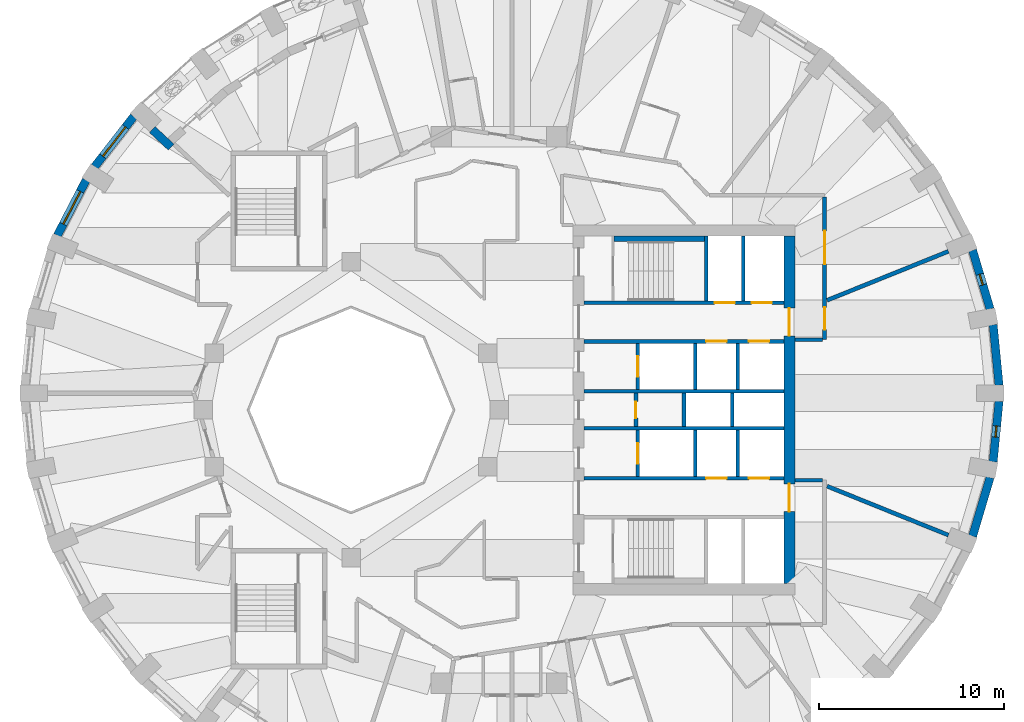
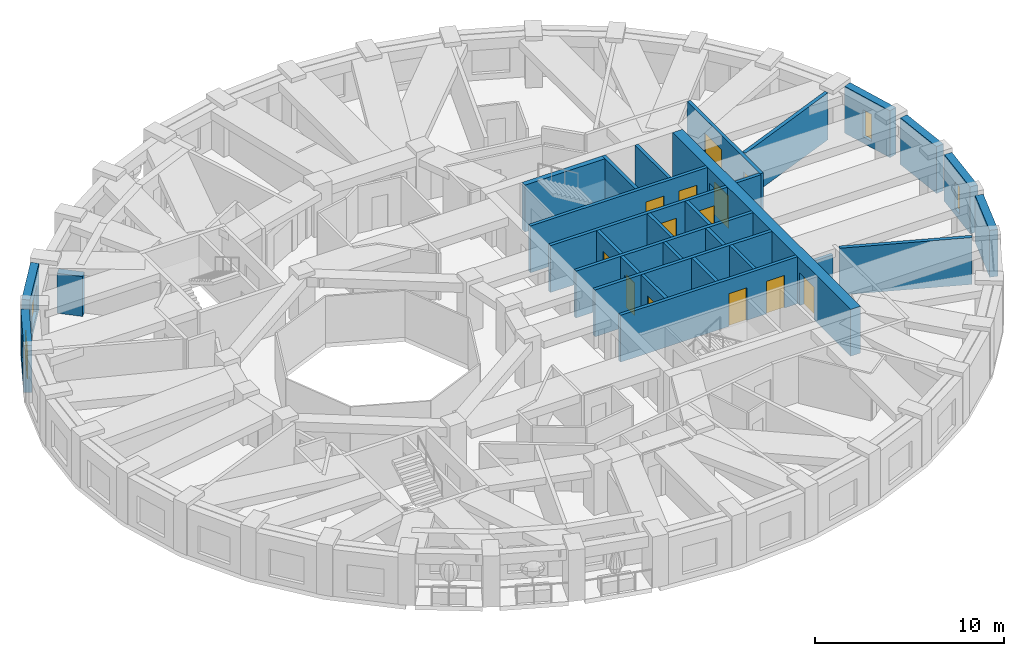
# One storey, part 6 of 12: 30 walls, 13 doors, 4 windows, 17 openings.
"""IFC4 building model written with IfcOpenShell, lengths in metres."""

from ifc_helpers import new_model, si_unit, direction, frame, frame_2d, origin, place, context, subcontext, project, spatial, rectangle, extrude, material, layer, layer_set, type_object, element, fill, save


model = new_model("IFC4")

# Units and contexts
model_context = context("Model", 3, precision=1e-05, world=origin(), true_north=direction((0.0, 1.0)))
body_context = subcontext(model_context, "Body", "Model", "MODEL_VIEW")
ifc_project = project(units=[si_unit("LENGTHUNIT", "METRE"), si_unit("AREAUNIT", "SQUARE_METRE"), si_unit("VOLUMEUNIT", "CUBIC_METRE"), si_unit("PLANEANGLEUNIT", "RADIAN"), si_unit("MASSUNIT", "GRAM", prefix="KILO")], contexts=[model_context])

# Site, building, storey
site_placement = place(None, origin())
site = spatial("IfcSite", under=ifc_project, at=site_placement, CompositionType="ELEMENT")
building_placement = place(site_placement, origin())
building = spatial("IfcBuilding", under=site, at=building_placement, Name="Taillehof Tower", CompositionType="ELEMENT")
storey_placement = place(building_placement, frame((0.0, 0.0, 215.60009765625)))
storey = spatial("IfcBuildingStorey", under=building, at=storey_placement, Name="L61", CompositionType="ELEMENT", Elevation=215.60009765625)

# Wall
ifc_material_1 = material(Name="Brick masonry", Category="masonry")
ifc_layer_1 = layer(ifc_material_1, 0.449951171875)
ifc_layer_set_1 = layer_set([ifc_layer_1], Name="Brick infill wall 450")
wall_type_1 = type_object("IfcWallType", Name="Brick infill wall 450", PredefinedType="SOLIDWALL", material=ifc_layer_set_1)
wall_1_placement = place(storey_placement, frame((27.0322265625, 1.330078125, 0.0), z_axis=(0.0, 0.0, 1.0), x_axis=(-0.096824116835, 0.995301507283, 0.0)))
element("IfcWall", 1, at=wall_1_placement, inside=storey, type_object=wall_type_1, Name="Brick wall L61 bay 1", PredefinedType="SOLIDWALL", context=body_context, shape_type="SweptSolid", body=[
    extrude(rectangle(XDim=3.29296875, YDim=0.449951171875, at=frame_2d((1.646484375, 0.0))), origin(), (0.0, 0.0, 1.0), 3.02001953125),
])

# Wall, opening, window
wall_2_placement = place(storey_placement, frame((26.548095703125, 5.451904296875, 0.0), z_axis=(0.0, 0.0, 1.0), x_axis=(-0.285444972963, 0.958395099847, 0.0)))
wall_2 = element("IfcWall", 2, at=wall_2_placement, inside=storey, type_object=wall_type_1, Name="Brick wall L61 bay 2", PredefinedType="SOLIDWALL", context=body_context, shape_type="SweptSolid", body=[
    extrude(rectangle(XDim=3.3203125, YDim=0.449951171875, at=frame_2d((1.66015625, 0.0))), origin(), (0.0, 0.0, 1.0), 3.02001953125),
])
opening_1_placement = place(wall_2_placement, frame((1.360107421875, 0.0, 0.39990234375)))
opening_1 = element("IfcOpeningElement", 3, at=opening_1_placement, cuts=wall_2, Name="Opening W6", PredefinedType="OPENING", context=body_context, shape_type="SweptSolid", body=[
    extrude(rectangle(XDim=0.60009765625, YDim=1.75, at=frame_2d((0.300048828125, 0.875))), frame((0.0, 0.23486328125, 0.0), z_axis=(0.0, -1.0, 0.0), x_axis=(1.0, 0.0, 0.0)), (0.0, 0.0, 1.0), 0.469970703125),
])
ifc_material_2 = material(Name="Aluminium window frame with clear double glazing", Category="aluminium")
window_type_1 = type_object("IfcWindowType", Name="Slot window 600x1750", PartitioningType="SINGLE_PANEL", PredefinedType="WINDOW", material=ifc_material_2)
window_1_placement = place(opening_1_placement, origin())
window_1 = element("IfcWindow", 4, at=window_1_placement, inside=storey, type_object=window_type_1, Name="W6", OverallHeight=1.75, OverallWidth=0.60009765625, PartitioningType="SINGLE_PANEL", PredefinedType="WINDOW", context=body_context, shape_type="SweptSolid", body=[
    extrude(rectangle(XDim=0.60009765625, YDim=1.75, at=frame_2d((0.300048828125, 0.875))), frame((0.0, 0.034912109375, 0.0), z_axis=(0.0, -1.0, 0.0), x_axis=(1.0, 0.0, 0.0)), (0.0, 0.0, 1.0), 0.06005859375),
])
fill(opening_1, window_1)

wall_3_placement = place(storey_placement, frame((-19.751220703125, 15.861083984375, 0.0), z_axis=(0.0, 0.0, 1.0), x_axis=(-0.614220816451, -0.789134201919, 0.0)))
wall_3 = element("IfcWall", 5, at=wall_3_placement, inside=storey, type_object=wall_type_1, Name="Brick wall L61 bay 15", PredefinedType="SOLIDWALL", context=body_context, shape_type="SweptSolid", body=[
    extrude(rectangle(XDim=3.437744140625, YDim=0.449951171875, at=frame_2d((1.71875, 0.0))), origin(), (0.0, 0.0, 1.0), 3.02001953125),
])
opening_2_placement = place(wall_3_placement, frame((0.71875, 0.0, 0.39990234375)))
opening_2 = element("IfcOpeningElement", 6, at=opening_2_placement, cuts=wall_3, Name="Opening W2", PredefinedType="OPENING", context=body_context, shape_type="SweptSolid", body=[
    extrude(rectangle(XDim=2.0, YDim=1.75, at=frame_2d((1.0, 0.875))), frame((0.0, 0.23486328125, 0.0), z_axis=(0.0, -1.0, 0.0), x_axis=(1.0, 0.0, 0.0)), (0.0, 0.0, 1.0), 0.469970703125),
])
ifc_material_3 = material(Name="Aluminium window frame with clear double glazing", Category="aluminium")
window_type_2 = type_object("IfcWindowType", Name="Deep-set window 2000x1750", PartitioningType="SINGLE_PANEL", PredefinedType="WINDOW", material=ifc_material_3)
window_2_placement = place(opening_2_placement, origin())
window_2 = element("IfcWindow", 7, at=window_2_placement, inside=storey, type_object=window_type_2, Name="W2", OverallHeight=1.75, OverallWidth=2.0, PartitioningType="SINGLE_PANEL", PredefinedType="WINDOW", context=body_context, shape_type="SweptSolid", body=[
    extrude(rectangle(XDim=2.0, YDim=1.75, at=frame_2d((1.0, 0.875))), frame((0.0, 0.034912109375, 0.0), z_axis=(0.0, -1.0, 0.0), x_axis=(1.0, 0.0, 0.0)), (0.0, 0.0, 1.0), 0.06005859375),
])
fill(opening_2, window_2)

wall_4_placement = place(storey_placement, frame((-22.326904296875, 12.424072265625, 0.0), z_axis=(0.0, 0.0, 1.0), x_axis=(-0.460232593174, -0.887798378113, 0.0)))
wall_4 = element("IfcWall", 8, at=wall_4_placement, inside=storey, type_object=wall_type_1, Name="Brick wall L61 bay 16", PredefinedType="SOLIDWALL", context=body_context, shape_type="SweptSolid", body=[
    extrude(rectangle(XDim=3.37060546875, YDim=0.449951171875, at=frame_2d((1.685302734375, 0.0))), origin(), (0.0, 0.0, 1.0), 3.02001953125),
])
opening_3_placement = place(wall_4_placement, frame((0.685302734375, 0.0, 0.39990234375)))
opening_3 = element("IfcOpeningElement", 9, at=opening_3_placement, cuts=wall_4, Name="Opening W2", PredefinedType="OPENING", context=body_context, shape_type="SweptSolid", body=[
    extrude(rectangle(XDim=2.0, YDim=1.75, at=frame_2d((1.0, 0.875))), frame((0.0, 0.23486328125, 0.0), z_axis=(0.0, -1.0, 0.0), x_axis=(1.0, 0.0, 0.0)), (0.0, 0.0, 1.0), 0.469970703125),
])
window_3_placement = place(opening_3_placement, origin())
window_3 = element("IfcWindow", 10, at=window_3_placement, inside=storey, type_object=window_type_2, Name="W2", OverallHeight=1.75, OverallWidth=2.0, PartitioningType="SINGLE_PANEL", PredefinedType="WINDOW", context=body_context, shape_type="SweptSolid", body=[
    extrude(rectangle(XDim=2.0, YDim=1.75, at=frame_2d((1.0, 0.875))), frame((0.0, 0.034912109375, 0.0), z_axis=(0.0, -1.0, 0.0), x_axis=(1.0, 0.0, 0.0)), (0.0, 0.0, 1.0), 0.06005859375),
])
fill(opening_3, window_3)

# Wall
wall_5_placement = place(storey_placement, frame((25.600341796875, -6.833984375, 0.0), z_axis=(0.0, 0.0, 1.0), x_axis=(0.285444972963, 0.958395099847, 0.0)))
element("IfcWall", 11, at=wall_5_placement, inside=storey, type_object=wall_type_1, Name="Brick wall L61 bay 35", PredefinedType="SOLIDWALL", context=body_context, shape_type="SweptSolid", body=[
    extrude(rectangle(XDim=3.3203125, YDim=0.449951171875, at=frame_2d((1.66015625, 0.0))), origin(), (0.0, 0.0, 1.0), 3.02001953125),
])

# Wall, opening, window
wall_6_placement = place(storey_placement, frame((26.71337890625, -2.807861328125, 0.0), z_axis=(0.0, 0.0, 1.0), x_axis=(0.096816972749, 0.995302202242, 0.0)))
wall_6 = element("IfcWall", 12, at=wall_6_placement, inside=storey, type_object=wall_type_1, Name="Brick wall L61 bay 36", PredefinedType="SOLIDWALL", context=body_context, shape_type="SweptSolid", body=[
    extrude(rectangle(XDim=3.293212890625, YDim=0.449951171875, at=frame_2d((1.646484375, 0.0))), origin(), (0.0, 0.0, 1.0), 3.02001953125),
])
opening_4_placement = place(wall_6_placement, frame((1.3466796875, 0.0, 0.39990234375)))
opening_4 = element("IfcOpeningElement", 13, at=opening_4_placement, cuts=wall_6, Name="Opening W6", PredefinedType="OPENING", context=body_context, shape_type="SweptSolid", body=[
    extrude(rectangle(XDim=0.60009765625, YDim=1.75, at=frame_2d((0.300048828125, 0.875))), frame((0.0, 0.23486328125, 0.0), z_axis=(0.0, -1.0, 0.0), x_axis=(1.0, 0.0, 0.0)), (0.0, 0.0, 1.0), 0.469970703125),
])
window_4_placement = place(opening_4_placement, origin())
window_4 = element("IfcWindow", 14, at=window_4_placement, inside=storey, type_object=window_type_1, Name="W6", OverallHeight=1.75, OverallWidth=0.60009765625, PartitioningType="SINGLE_PANEL", PredefinedType="WINDOW", context=body_context, shape_type="SweptSolid", body=[
    extrude(rectangle(XDim=0.60009765625, YDim=1.75, at=frame_2d((0.300048828125, 0.875))), frame((0.0, 0.034912109375, 0.0), z_axis=(0.0, -1.0, 0.0), x_axis=(1.0, 0.0, 0.0)), (0.0, 0.0, 1.0), 0.06005859375),
])
fill(opening_4, window_4)

# Wall
wall_7_placement = place(storey_placement, frame((-18.7470703125, 15.15478515625, 0.0), z_axis=(0.0, 0.0, 1.0), x_axis=(0.732349544388, -0.680928883831, 0.0)))
element("IfcWall", 15, at=wall_7_placement, inside=storey, type_object=wall_type_1, Name="Brick reveal L61 pocket 3", PredefinedType="SOLIDWALL", context=body_context, shape_type="SweptSolid", body=[
    extrude(rectangle(XDim=1.39111328125, YDim=0.449951171875, at=frame_2d((0.695556640625, 0.0))), origin(), (0.0, 0.0, 1.0), 2.56982421875),
])

# Wall, opening, door
ifc_material_4 = material(Name="Calcium silicate masonry", Category="masonry")
ifc_layer_2 = layer(ifc_material_4, 0.199951171875)
ifc_layer_set_2 = layer_set([ifc_layer_2], Name="Compartment wall calcium silicate 200")
wall_type_2 = type_object("IfcWallType", Name="Compartment wall calcium silicate 200", PredefinedType="PARTITIONING", material=ifc_layer_set_2)
wall_8_placement = place(storey_placement, frame((7.39990234375, -0.89990234375, 0.0), z_axis=(0.0, 0.0, 1.0), x_axis=(0.0, 1.0, 0.0)))
wall_8 = element("IfcWall", 16, at=wall_8_placement, inside=storey, type_object=wall_type_2, Name="Compartment wall FW", PredefinedType="PARTITIONING", context=body_context, shape_type="SweptSolid", body=[
    extrude(rectangle(XDim=1.7998046875, YDim=0.199951171875, at=frame_2d((0.89990234375, 0.0))), origin(), (0.0, 0.0, 1.0), 3.02001953125),
])
opening_5_placement = place(wall_8_placement, frame((0.449951171875, 0.0, 0.0)))
opening_5 = element("IfcOpeningElement", 17, at=opening_5_placement, cuts=wall_8, Name="Opening D6114", PredefinedType="OPENING", context=body_context, shape_type="SweptSolid", body=[
    extrude(rectangle(XDim=0.89990234375, YDim=2.10009765625, at=frame_2d((0.449951171875, 1.050048828125))), frame((0.0, 0.10986328125, 0.0), z_axis=(0.0, -1.0, 0.0), x_axis=(1.0, 0.0, 0.0)), (0.0, 0.0, 1.0), 0.219970703125),
])
ifc_material_5 = material(Name="Steel-faced fire door", Category="steel")
door_type_1 = type_object("IfcDoorType", Name="Riser and service room door 900x2100", OperationType="SINGLE_SWING_LEFT", PredefinedType="DOOR", material=ifc_material_5)
door_1_placement = place(opening_5_placement, origin())
door_1 = element("IfcDoor", 18, at=door_1_placement, inside=storey, type_object=door_type_1, Name="Door Bms Room", OperationType="SINGLE_SWING_RIGHT", OverallHeight=2.10009765625, OverallWidth=0.89990234375, PredefinedType="DOOR", context=body_context, shape_type="SweptSolid", body=[
    extrude(rectangle(XDim=0.89990234375, YDim=2.10009765625, at=frame_2d((0.449951171875, 1.050048828125))), frame((0.0, 0.02490234375, 0.0), z_axis=(0.0, -1.0, 0.0), x_axis=(1.0, 0.0, 0.0)), (0.0, 0.0, 1.0), 0.050048828125),
])
fill(opening_5, door_1)

# Walls
for number, where, z_axis, x_axis, name in (
    (19, (10.0, -0.89990234375, 0.0), (0.0, 0.0, 1.0), (0.0, 1.0, 0.0), "Compartment wall FW"),
    (20, (12.60009765625, -0.89990234375, 0.0), (0.0, 0.0, 1.0), (0.0, 1.0, 0.0), "Compartment wall FW"),
):
    element("IfcWall", number, at=place(storey_placement, frame(where, z_axis=z_axis, x_axis=x_axis)), inside=storey, type_object=wall_type_2, Name=name, PredefinedType="PARTITIONING", context=body_context, shape_type="SweptSolid", body=[
        extrude(rectangle(XDim=1.7998046875, YDim=0.199951171875, at=frame_2d((0.89990234375, 0.0))), origin(), (0.0, 0.0, 1.0), 3.02001953125),
    ])

# Wall, openings, doors
ifc_material_6 = material(Name="Gypsum board on steel studs, two layers each side", Category="steel")
ifc_layer_3 = layer(ifc_material_6, 0.199951171875)
ifc_layer_set_3 = layer_set([ifc_layer_3], Name="Compartment wall corridor 200")
wall_type_3 = type_object("IfcWallType", Name="Compartment wall corridor 200", PredefinedType="PARTITIONING", material=ifc_layer_set_3)
wall_9_placement = place(storey_placement, frame((17.60009765625, 11.5, 0.0), z_axis=(0.0, 0.0, 1.0), x_axis=(0.0, -1.0, 0.0)))
wall_9 = element("IfcWall", 21, at=wall_9_placement, inside=storey, type_object=wall_type_3, Name="Compartment wall", PredefinedType="PARTITIONING", context=body_context, shape_type="SweptSolid", body=[
    extrude(rectangle(XDim=7.699951171875, YDim=0.199951171875, at=frame_2d((3.85009765625, 0.0))), origin(), (0.0, 0.0, 1.0), 3.02001953125),
])
opening_6_placement = place(wall_9_placement, frame((5.959228515625, 0.0, 0.0)))
opening_6 = element("IfcOpeningElement", 22, at=opening_6_placement, cuts=wall_9, Name="Opening D6163", PredefinedType="OPENING", context=body_context, shape_type="SweptSolid", body=[
    extrude(rectangle(XDim=1.199951171875, YDim=2.10009765625, at=frame_2d((0.60009765625, 1.050048828125))), frame((0.0, 0.10986328125, 0.0), z_axis=(0.0, -1.0, 0.0), x_axis=(1.0, 0.0, 0.0)), (0.0, 0.0, 1.0), 0.219970703125),
])
opening_7_placement = place(wall_9_placement, frame((1.8154296875, 0.0, 0.0)))
opening_7 = element("IfcOpeningElement", 23, at=opening_7_placement, cuts=wall_9, Name="Opening D6164", PredefinedType="OPENING", context=body_context, shape_type="SweptSolid", body=[
    extrude(rectangle(XDim=1.800048828125, YDim=2.10009765625, at=frame_2d((0.89990234375, 1.050048828125))), frame((0.0, 0.10986328125, 0.0), z_axis=(0.0, -1.0, 0.0), x_axis=(1.0, 0.0, 0.0)), (0.0, 0.0, 1.0), 0.219970703125),
])
ifc_material_7 = material(Name="Timber door leaf in steel frame", Category="steel")
door_type_2 = type_object("IfcDoorType", Name="Lounge and meeting room double door EI 30 1800 x 2100", OperationType="SINGLE_SWING_LEFT", PredefinedType="DOOR", material=ifc_material_7)
door_2_placement = place(opening_7_placement, origin())
door_2 = element("IfcDoor", 24, at=door_2_placement, inside=storey, type_object=door_type_2, Name="D6164", OperationType="DOUBLE_DOOR_SINGLE_SWING", OverallHeight=2.10009765625, OverallWidth=1.800048828125, PredefinedType="DOOR", context=body_context, shape_type="SweptSolid", body=[
    extrude(rectangle(XDim=1.800048828125, YDim=2.10009765625, at=frame_2d((0.89990234375, 1.050048828125))), frame((0.0, 0.02490234375, 0.0), z_axis=(0.0, -1.0, 0.0), x_axis=(1.0, 0.0, 0.0)), (0.0, 0.0, 1.0), 0.050048828125),
])
fill(opening_7, door_2)
ifc_material_8 = material(Name="Timber door leaf in steel frame", Category="steel")
door_type_3 = type_object("IfcDoorType", Name="Suite entrance door EI 30 1200 x 2100", OperationType="SINGLE_SWING_LEFT", PredefinedType="DOOR", material=ifc_material_8)
door_3_placement = place(opening_6_placement, origin())
door_3 = element("IfcDoor", 25, at=door_3_placement, inside=storey, type_object=door_type_3, Name="D6163", OperationType="SINGLE_SWING_LEFT", OverallHeight=2.10009765625, OverallWidth=1.199951171875, PredefinedType="DOOR", context=body_context, shape_type="SweptSolid", body=[
    extrude(rectangle(XDim=1.199951171875, YDim=2.10009765625, at=frame_2d((0.60009765625, 1.050048828125))), frame((0.0, 0.02490234375, 0.0), z_axis=(0.0, -1.0, 0.0), x_axis=(1.0, 0.0, 0.0)), (0.0, 0.0, 1.0), 0.050048828125),
])
fill(opening_6, door_3)

# Walls
wall_10_placement = place(storey_placement, frame((17.5, 3.800048828125, 0.0), z_axis=(0.0, 0.0, 1.0), x_axis=(-1.0, 0.0, 0.0)))
element("IfcWall", 26, at=wall_10_placement, inside=storey, type_object=wall_type_3, Name="Compartment wall", PredefinedType="PARTITIONING", context=body_context, shape_type="SweptSolid", body=[
    extrude(rectangle(XDim=1.49609375, YDim=0.199951171875, at=frame_2d((0.748046875, 0.0))), origin(), (0.0, 0.0, 1.0), 3.02001953125),
])
wall_11_placement = place(storey_placement, frame((16.00390625, -3.800048828125, 0.0), z_axis=(0.0, 0.0, 1.0), x_axis=(1.0, 0.0, 0.0)))
element("IfcWall", 27, at=wall_11_placement, inside=storey, type_object=wall_type_3, Name="Compartment wall", PredefinedType="PARTITIONING", context=body_context, shape_type="SweptSolid", body=[
    extrude(rectangle(XDim=1.49609375, YDim=0.199951171875, at=frame_2d((0.748046875, 0.0))), origin(), (0.0, 0.0, 1.0), 2.469970703125),
])
ifc_material_9 = material(Name="Gypsum board on double steel studs with mineral wool", Category="steel")
ifc_layer_4 = layer(ifc_material_9, 0.219970703125)
ifc_layer_set_4 = layer_set([ifc_layer_4], Name="Compartment wall guest room 220")
wall_type_4 = type_object("IfcWallType", Name="Compartment wall guest room 220", PredefinedType="PARTITIONING", material=ifc_layer_set_4)
wall_12_placement = place(storey_placement, frame((24.29541015625, 8.5712890625, 0.0), z_axis=(0.0, 0.0, 1.0), x_axis=(-0.927386999215, -0.374103399728, 0.0)))
element("IfcWall", 28, at=wall_12_placement, inside=storey, type_object=wall_type_4, Name="Compartment wall", PredefinedType="PARTITIONING", context=body_context, shape_type="SweptSolid", body=[
    extrude(rectangle(XDim=7.071533203125, YDim=0.219970703125, at=frame_2d((3.53564453125, 0.0))), origin(), (0.0, 0.0, 1.0), 3.02001953125),
])
wall_13_placement = place(storey_placement, frame((24.29541015625, -6.771484375, 0.0), z_axis=(0.0, 0.0, 1.0), x_axis=(-0.927375021142, 0.374133091509, 0.0)))
element("IfcWall", 29, at=wall_13_placement, inside=storey, type_object=wall_type_4, Name="Compartment wall", PredefinedType="PARTITIONING", context=body_context, shape_type="SweptSolid", body=[
    extrude(rectangle(XDim=7.07177734375, YDim=0.219970703125, at=frame_2d((3.535888671875, 0.0))), origin(), (0.0, 0.0, 1.0), 3.02001953125),
])
ifc_material_10 = material(Name="Calcium silicate masonry", Category="masonry")
ifc_layer_5 = layer(ifc_material_10, 0.300048828125)
ifc_layer_set_5 = layer_set([ifc_layer_5], Name="Compartment wall lining calcium silicate 300")
wall_type_5 = type_object("IfcWallType", Name="Compartment wall lining calcium silicate 300", PredefinedType="PARTITIONING", material=ifc_layer_set_5)
wall_14_placement = place(storey_placement, frame((6.219970703125, 9.25, 0.0), z_axis=(0.0, 0.0, 1.0), x_axis=(1.0, 0.0, 0.0)))
element("IfcWall", 30, at=wall_14_placement, inside=storey, type_object=wall_type_5, Name="Compartment wall FW", PredefinedType="PARTITIONING", context=body_context, shape_type="SweptSolid", body=[
    extrude(rectangle(XDim=4.880126953125, YDim=0.300048828125, at=frame_2d((2.43994140625, 0.0))), origin(), (0.0, 0.0, 1.0), 3.02001953125),
])

# Wall, openings, doors
ifc_material_11 = material(Name="Concrete C80/95", Category="concrete")
ifc_layer_6 = layer(ifc_material_11, 0.60009765625)
ifc_layer_set_6 = layer_set([ifc_layer_6], Name="Core wall C80/95 600")
wall_type_6 = type_object("IfcWallType", Name="Core wall C80/95 600", PredefinedType="SHEAR", material=ifc_layer_set_6)
wall_15_placement = place(storey_placement, frame((15.699951171875, -9.39990234375, 0.0), z_axis=(0.0, 0.0, 1.0), x_axis=(0.0, 1.0, 0.0)))
wall_15 = element("IfcWall", 31, at=wall_15_placement, inside=storey, type_object=wall_type_6, Name="Core wall CW05", PredefinedType="SHEAR", context=body_context, shape_type="SweptSolid", body=[
    extrude(rectangle(XDim=18.7998046875, YDim=0.60009765625, at=frame_2d((9.39990234375, 0.0))), origin(), (0.0, 0.0, 1.0), 3.02001953125),
])
opening_8_placement = place(wall_15_placement, frame((13.39990234375, 0.0, 0.0)))
opening_8 = element("IfcOpeningElement", 32, at=opening_8_placement, cuts=wall_15, Name="Opening D6108", PredefinedType="OPENING", context=body_context, shape_type="SweptSolid", body=[
    extrude(rectangle(XDim=1.5, YDim=2.10009765625, at=frame_2d((0.75, 1.050048828125))), frame((0.0, 0.31005859375, 0.0), z_axis=(0.0, -1.0, 0.0), x_axis=(1.0, 0.0, 0.0)), (0.0, 0.0, 1.0), 0.6201171875),
])
opening_9_placement = place(wall_15_placement, frame((3.89990234375, 0.0, 0.0)))
opening_9 = element("IfcOpeningElement", 33, at=opening_9_placement, cuts=wall_15, Name="Opening D6109", PredefinedType="OPENING", context=body_context, shape_type="SweptSolid", body=[
    extrude(rectangle(XDim=1.5, YDim=2.10009765625, at=frame_2d((0.75, 1.050048828125))), frame((0.0, 0.31005859375, 0.0), z_axis=(0.0, -1.0, 0.0), x_axis=(1.0, 0.0, 0.0)), (0.0, 0.0, 1.0), 0.6201171875),
])
ifc_material_12 = material(Name="Steel-faced fire door", Category="steel")
door_type_4 = type_object("IfcDoorType", Name="Lift lobby east door 1500x2100", OperationType="DOUBLE_DOOR_SINGLE_SWING", PredefinedType="DOOR", material=ifc_material_12)
door_4_placement = place(opening_8_placement, origin())
door_4 = element("IfcDoor", 34, at=door_4_placement, inside=storey, type_object=door_type_4, Name="Lift lobby east door north", OperationType="DOUBLE_DOOR_SINGLE_SWING", OverallHeight=2.10009765625, OverallWidth=1.5, PredefinedType="DOOR", context=body_context, shape_type="SweptSolid", body=[
    extrude(rectangle(XDim=1.5, YDim=2.10009765625, at=frame_2d((0.75, 1.050048828125))), frame((0.0, 0.02490234375, 0.0), z_axis=(0.0, -1.0, 0.0), x_axis=(1.0, 0.0, 0.0)), (0.0, 0.0, 1.0), 0.050048828125),
])
fill(opening_8, door_4)
door_5_placement = place(opening_9_placement, origin())
door_5 = element("IfcDoor", 35, at=door_5_placement, inside=storey, type_object=door_type_4, Name="Lift lobby east door south", OperationType="DOUBLE_DOOR_SINGLE_SWING", OverallHeight=2.10009765625, OverallWidth=1.5, PredefinedType="DOOR", context=body_context, shape_type="SweptSolid", body=[
    extrude(rectangle(XDim=1.5, YDim=2.10009765625, at=frame_2d((0.75, 1.050048828125))), frame((0.0, 0.02490234375, 0.0), z_axis=(0.0, -1.0, 0.0), x_axis=(1.0, 0.0, 0.0)), (0.0, 0.0, 1.0), 0.050048828125),
])
fill(opening_9, door_5)

ifc_material_13 = material(Name="Concrete C50/60", Category="concrete")
ifc_layer_7 = layer(ifc_material_13, 0.199951171875)
ifc_layer_set_7 = layer_set([ifc_layer_7], Name="Shaft wall C50/60 200")
wall_type_7 = type_object("IfcWallType", Name="Shaft wall C50/60 200", PredefinedType="SHEAR", material=ifc_layer_set_7)
wall_16_placement = place(storey_placement, frame((4.60009765625, 5.800048828125, 0.0), z_axis=(0.0, 0.0, 1.0), x_axis=(1.0, 0.0, 0.0)))
wall_16 = element("IfcWall", 36, at=wall_16_placement, inside=storey, type_object=wall_type_7, Name="Shaft wall SW", PredefinedType="SHEAR", context=body_context, shape_type="SweptSolid", body=[
    extrude(rectangle(XDim=10.7998046875, YDim=0.199951171875, at=frame_2d((5.39990234375, 0.0))), origin(), (0.0, 0.0, 1.0), 3.02001953125),
])
opening_10_placement = place(wall_16_placement, frame((7.050048828125, 0.0, 0.0)))
opening_10 = element("IfcOpeningElement", 37, at=opening_10_placement, cuts=wall_16, Name="Opening LD1", PredefinedType="OPENING", context=body_context, shape_type="SweptSolid", body=[
    extrude(rectangle(XDim=1.10009765625, YDim=2.10009765625, at=frame_2d((0.550048828125, 1.050048828125))), frame((0.0, 0.10986328125, 0.0), z_axis=(0.0, -1.0, 0.0), x_axis=(1.0, 0.0, 0.0)), (0.0, 0.0, 1.0), 0.219970703125),
])
opening_11_placement = place(wall_16_placement, frame((9.050048828125, 0.0, 0.0)))
opening_11 = element("IfcOpeningElement", 38, at=opening_11_placement, cuts=wall_16, Name="Opening LD1", PredefinedType="OPENING", context=body_context, shape_type="SweptSolid", body=[
    extrude(rectangle(XDim=1.10009765625, YDim=2.10009765625, at=frame_2d((0.550048828125, 1.050048828125))), frame((0.0, 0.10986328125, 0.0), z_axis=(0.0, -1.0, 0.0), x_axis=(1.0, 0.0, 0.0)), (0.0, 0.0, 1.0), 0.219970703125),
])
ifc_material_14 = material(Name="Stainless steel", Category="steel")
door_type_5 = type_object("IfcDoorType", Name="Lift landing door LD1 1100x2100", OperationType="DOUBLE_DOOR_SLIDING", PredefinedType="DOOR", material=ifc_material_14)
door_6_placement = place(opening_10_placement, origin())
door_6 = element("IfcDoor", 39, at=door_6_placement, inside=storey, type_object=door_type_5, Name="Landing door HR1", OperationType="DOUBLE_DOOR_SLIDING", OverallHeight=2.10009765625, OverallWidth=1.10009765625, PredefinedType="DOOR", context=body_context, shape_type="SweptSolid", body=[
    extrude(rectangle(XDim=1.10009765625, YDim=2.10009765625, at=frame_2d((0.550048828125, 1.050048828125))), frame((0.0, 0.02490234375, 0.0), z_axis=(0.0, -1.0, 0.0), x_axis=(1.0, 0.0, 0.0)), (0.0, 0.0, 1.0), 0.050048828125),
])
fill(opening_10, door_6)
door_7_placement = place(opening_11_placement, origin())
door_7 = element("IfcDoor", 40, at=door_7_placement, inside=storey, type_object=door_type_5, Name="Landing door HR2", OperationType="DOUBLE_DOOR_SLIDING", OverallHeight=2.10009765625, OverallWidth=1.10009765625, PredefinedType="DOOR", context=body_context, shape_type="SweptSolid", body=[
    extrude(rectangle(XDim=1.10009765625, YDim=2.10009765625, at=frame_2d((0.550048828125, 1.050048828125))), frame((0.0, 0.02490234375, 0.0), z_axis=(0.0, -1.0, 0.0), x_axis=(1.0, 0.0, 0.0)), (0.0, 0.0, 1.0), 0.050048828125),
])
fill(opening_11, door_7)

wall_17_placement = place(storey_placement, frame((4.60009765625, 3.699951171875, 0.0), z_axis=(0.0, 0.0, 1.0), x_axis=(1.0, 0.0, 0.0)))
wall_17 = element("IfcWall", 41, at=wall_17_placement, inside=storey, type_object=wall_type_7, Name="Shaft wall SW", PredefinedType="SHEAR", context=body_context, shape_type="SweptSolid", body=[
    extrude(rectangle(XDim=10.7998046875, YDim=0.199951171875, at=frame_2d((5.39990234375, 0.0))), origin(), (0.0, 0.0, 1.0), 3.02001953125),
])
opening_12_placement = place(wall_17_placement, frame((6.60009765625, 0.0, 0.0)))
opening_12 = element("IfcOpeningElement", 42, at=opening_12_placement, cuts=wall_17, Name="Opening LD1", PredefinedType="OPENING", context=body_context, shape_type="SweptSolid", body=[
    extrude(rectangle(XDim=1.10009765625, YDim=2.10009765625, at=frame_2d((0.550048828125, 1.050048828125))), frame((0.0, 0.10986328125, 0.0), z_axis=(0.0, -1.0, 0.0), x_axis=(1.0, 0.0, 0.0)), (0.0, 0.0, 1.0), 0.219970703125),
])
opening_13_placement = place(wall_17_placement, frame((8.89990234375, 0.0, 0.0)))
opening_13 = element("IfcOpeningElement", 43, at=opening_13_placement, cuts=wall_17, Name="Opening LD1", PredefinedType="OPENING", context=body_context, shape_type="SweptSolid", body=[
    extrude(rectangle(XDim=1.10009765625, YDim=2.10009765625, at=frame_2d((0.550048828125, 1.050048828125))), frame((0.0, 0.10986328125, 0.0), z_axis=(0.0, -1.0, 0.0), x_axis=(1.0, 0.0, 0.0)), (0.0, 0.0, 1.0), 0.219970703125),
])
door_8_placement = place(opening_12_placement, origin())
door_8 = element("IfcDoor", 44, at=door_8_placement, inside=storey, type_object=door_type_5, Name="Landing door HR3", OperationType="DOUBLE_DOOR_SLIDING", OverallHeight=2.10009765625, OverallWidth=1.10009765625, PredefinedType="DOOR", context=body_context, shape_type="SweptSolid", body=[
    extrude(rectangle(XDim=1.10009765625, YDim=2.10009765625, at=frame_2d((0.550048828125, 1.050048828125))), frame((0.0, 0.02490234375, 0.0), z_axis=(0.0, -1.0, 0.0), x_axis=(1.0, 0.0, 0.0)), (0.0, 0.0, 1.0), 0.050048828125),
])
fill(opening_12, door_8)
door_9_placement = place(opening_13_placement, origin())
door_9 = element("IfcDoor", 45, at=door_9_placement, inside=storey, type_object=door_type_5, Name="Landing door HR4", OperationType="DOUBLE_DOOR_SLIDING", OverallHeight=2.10009765625, OverallWidth=1.10009765625, PredefinedType="DOOR", context=body_context, shape_type="SweptSolid", body=[
    extrude(rectangle(XDim=1.10009765625, YDim=2.10009765625, at=frame_2d((0.550048828125, 1.050048828125))), frame((0.0, 0.02490234375, 0.0), z_axis=(0.0, -1.0, 0.0), x_axis=(1.0, 0.0, 0.0)), (0.0, 0.0, 1.0), 0.050048828125),
])
fill(opening_13, door_9)

# Walls
for number, where, z_axis, x_axis, name in (
    (46, (4.60009765625, 1.0, 0.0), (0.0, 0.0, 1.0), (1.0, 0.0, 0.0), "Shaft wall SW"),
    (47, (4.60009765625, -1.0, 0.0), (0.0, 0.0, 1.0), (1.0, 0.0, 0.0), "Shaft wall SW"),
):
    element("IfcWall", number, at=place(storey_placement, frame(where, z_axis=z_axis, x_axis=x_axis)), inside=storey, type_object=wall_type_7, Name=name, PredefinedType="SHEAR", context=body_context, shape_type="SweptSolid", body=[
        extrude(rectangle(XDim=10.7998046875, YDim=0.199951171875, at=frame_2d((5.39990234375, 0.0))), origin(), (0.0, 0.0, 1.0), 3.02001953125),
    ])

# Wall, openings, doors
wall_18_placement = place(storey_placement, frame((4.60009765625, -3.699951171875, 0.0), z_axis=(0.0, 0.0, 1.0), x_axis=(1.0, 0.0, 0.0)))
wall_18 = element("IfcWall", 48, at=wall_18_placement, inside=storey, type_object=wall_type_7, Name="Shaft wall SW", PredefinedType="SHEAR", context=body_context, shape_type="SweptSolid", body=[
    extrude(rectangle(XDim=10.7998046875, YDim=0.199951171875, at=frame_2d((5.39990234375, 0.0))), origin(), (0.0, 0.0, 1.0), 3.02001953125),
])
opening_14_placement = place(wall_18_placement, frame((6.60009765625, 0.0, 0.0)))
opening_14 = element("IfcOpeningElement", 49, at=opening_14_placement, cuts=wall_18, Name="Opening LD1", PredefinedType="OPENING", context=body_context, shape_type="SweptSolid", body=[
    extrude(rectangle(XDim=1.10009765625, YDim=2.10009765625, at=frame_2d((0.550048828125, 1.050048828125))), frame((0.0, 0.10986328125, 0.0), z_axis=(0.0, -1.0, 0.0), x_axis=(1.0, 0.0, 0.0)), (0.0, 0.0, 1.0), 0.219970703125),
])
opening_15_placement = place(wall_18_placement, frame((8.89990234375, 0.0, 0.0)))
opening_15 = element("IfcOpeningElement", 50, at=opening_15_placement, cuts=wall_18, Name="Opening LD1", PredefinedType="OPENING", context=body_context, shape_type="SweptSolid", body=[
    extrude(rectangle(XDim=1.10009765625, YDim=2.10009765625, at=frame_2d((0.550048828125, 1.050048828125))), frame((0.0, 0.10986328125, 0.0), z_axis=(0.0, -1.0, 0.0), x_axis=(1.0, 0.0, 0.0)), (0.0, 0.0, 1.0), 0.219970703125),
])
door_10_placement = place(opening_14_placement, origin())
door_10 = element("IfcDoor", 51, at=door_10_placement, inside=storey, type_object=door_type_5, Name="Landing door HR5", OperationType="DOUBLE_DOOR_SLIDING", OverallHeight=2.10009765625, OverallWidth=1.10009765625, PredefinedType="DOOR", context=body_context, shape_type="SweptSolid", body=[
    extrude(rectangle(XDim=1.10009765625, YDim=2.10009765625, at=frame_2d((0.550048828125, 1.050048828125))), frame((0.0, 0.02490234375, 0.0), z_axis=(0.0, -1.0, 0.0), x_axis=(1.0, 0.0, 0.0)), (0.0, 0.0, 1.0), 0.050048828125),
])
fill(opening_14, door_10)
door_11_placement = place(opening_15_placement, origin())
door_11 = element("IfcDoor", 52, at=door_11_placement, inside=storey, type_object=door_type_5, Name="Landing door HR6", OperationType="DOUBLE_DOOR_SLIDING", OverallHeight=2.10009765625, OverallWidth=1.10009765625, PredefinedType="DOOR", context=body_context, shape_type="SweptSolid", body=[
    extrude(rectangle(XDim=1.10009765625, YDim=2.10009765625, at=frame_2d((0.550048828125, 1.050048828125))), frame((0.0, 0.02490234375, 0.0), z_axis=(0.0, -1.0, 0.0), x_axis=(1.0, 0.0, 0.0)), (0.0, 0.0, 1.0), 0.050048828125),
])
fill(opening_15, door_11)

# Walls
for number, where, z_axis, x_axis, name in (
    (53, (11.199951171875, 5.89990234375, 0.0), (0.0, 0.0, 1.0), (0.0, 1.0, 0.0), "Shaft wall SW"),
    (54, (13.199951171875, 5.89990234375, 0.0), (0.0, 0.0, 1.0), (0.0, 1.0, 0.0), "Shaft wall SW"),
):
    element("IfcWall", number, at=place(storey_placement, frame(where, z_axis=z_axis, x_axis=x_axis)), inside=storey, type_object=wall_type_7, Name=name, PredefinedType="SHEAR", context=body_context, shape_type="SweptSolid", body=[
        extrude(rectangle(XDim=3.5, YDim=0.199951171875, at=frame_2d((1.75, 0.0))), origin(), (0.0, 0.0, 1.0), 3.02001953125),
    ])

# Wall, opening, door
wall_19_placement = place(storey_placement, frame((7.5, 1.10009765625, 0.0), z_axis=(0.0, 0.0, 1.0), x_axis=(0.0, 1.0, 0.0)))
wall_19 = element("IfcWall", 55, at=wall_19_placement, inside=storey, type_object=wall_type_7, Name="Shaft wall SW", PredefinedType="SHEAR", context=body_context, shape_type="SweptSolid", body=[
    extrude(rectangle(XDim=2.5, YDim=0.199951171875, at=frame_2d((1.25, 0.0))), origin(), (0.0, 0.0, 1.0), 3.02001953125),
])
opening_16_placement = place(wall_19_placement, frame((0.699951171875, 0.0, 0.0)))
opening_16 = element("IfcOpeningElement", 56, at=opening_16_placement, cuts=wall_19, Name="Opening LD1", PredefinedType="OPENING", context=body_context, shape_type="SweptSolid", body=[
    extrude(rectangle(XDim=1.10009765625, YDim=2.10009765625, at=frame_2d((0.550048828125, 1.050048828125))), frame((0.0, 0.10986328125, 0.0), z_axis=(0.0, -1.0, 0.0), x_axis=(1.0, 0.0, 0.0)), (0.0, 0.0, 1.0), 0.219970703125),
])
door_12_placement = place(opening_16_placement, origin())
door_12 = element("IfcDoor", 57, at=door_12_placement, inside=storey, type_object=door_type_5, Name="Landing door FF1", OperationType="DOUBLE_DOOR_SLIDING", OverallHeight=2.10009765625, OverallWidth=1.10009765625, PredefinedType="DOOR", context=body_context, shape_type="SweptSolid", body=[
    extrude(rectangle(XDim=1.10009765625, YDim=2.10009765625, at=frame_2d((0.550048828125, 1.050048828125))), frame((0.0, 0.02490234375, 0.0), z_axis=(0.0, -1.0, 0.0), x_axis=(1.0, 0.0, 0.0)), (0.0, 0.0, 1.0), 0.050048828125),
])
fill(opening_16, door_12)

wall_20_placement = place(storey_placement, frame((7.5, -3.60009765625, 0.0), z_axis=(0.0, 0.0, 1.0), x_axis=(0.0, 1.0, 0.0)))
wall_20 = element("IfcWall", 58, at=wall_20_placement, inside=storey, type_object=wall_type_7, Name="Shaft wall SW", PredefinedType="SHEAR", context=body_context, shape_type="SweptSolid", body=[
    extrude(rectangle(XDim=2.5, YDim=0.199951171875, at=frame_2d((1.25, 0.0))), origin(), (0.0, 0.0, 1.0), 3.02001953125),
])
opening_17_placement = place(wall_20_placement, frame((0.699951171875, 0.0, 0.0)))
opening_17 = element("IfcOpeningElement", 59, at=opening_17_placement, cuts=wall_20, Name="Opening LD1", PredefinedType="OPENING", context=body_context, shape_type="SweptSolid", body=[
    extrude(rectangle(XDim=1.10009765625, YDim=2.10009765625, at=frame_2d((0.550048828125, 1.050048828125))), frame((0.0, 0.10986328125, 0.0), z_axis=(0.0, -1.0, 0.0), x_axis=(1.0, 0.0, 0.0)), (0.0, 0.0, 1.0), 0.219970703125),
])
door_13_placement = place(opening_17_placement, origin())
door_13 = element("IfcDoor", 60, at=door_13_placement, inside=storey, type_object=door_type_5, Name="Landing door FF2", OperationType="DOUBLE_DOOR_SLIDING", OverallHeight=2.10009765625, OverallWidth=1.10009765625, PredefinedType="DOOR", context=body_context, shape_type="SweptSolid", body=[
    extrude(rectangle(XDim=1.10009765625, YDim=2.10009765625, at=frame_2d((0.550048828125, 1.050048828125))), frame((0.0, 0.02490234375, 0.0), z_axis=(0.0, -1.0, 0.0), x_axis=(1.0, 0.0, 0.0)), (0.0, 0.0, 1.0), 0.050048828125),
])
fill(opening_17, door_13)

# Walls
for number, where, z_axis, x_axis, name in (
    (61, (10.60009765625, 1.10009765625, 0.0), (0.0, 0.0, 1.0), (0.0, 1.0, 0.0), "Shaft wall SW"),
    (62, (10.60009765625, -3.60009765625, 0.0), (0.0, 0.0, 1.0), (0.0, 1.0, 0.0), "Shaft wall SW"),
    (63, (12.89990234375, 1.10009765625, 0.0), (0.0, 0.0, 1.0), (0.0, 1.0, 0.0), "Shaft wall SW"),
    (64, (12.89990234375, -3.60009765625, 0.0), (0.0, 0.0, 1.0), (0.0, 1.0, 0.0), "Shaft wall SW"),
):
    element("IfcWall", number, at=place(storey_placement, frame(where, z_axis=z_axis, x_axis=x_axis)), inside=storey, type_object=wall_type_7, Name=name, PredefinedType="SHEAR", context=body_context, shape_type="SweptSolid", body=[
        extrude(rectangle(XDim=2.5, YDim=0.199951171875, at=frame_2d((1.25, 0.0))), origin(), (0.0, 0.0, 1.0), 3.02001953125),
    ])

save(model, "model.ifc")
